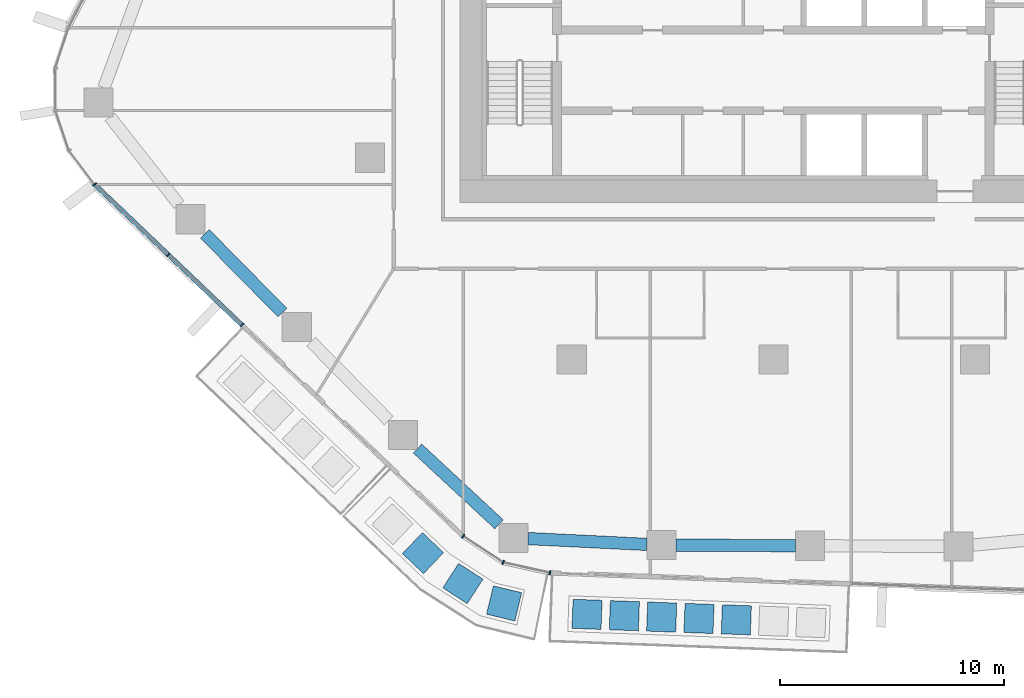
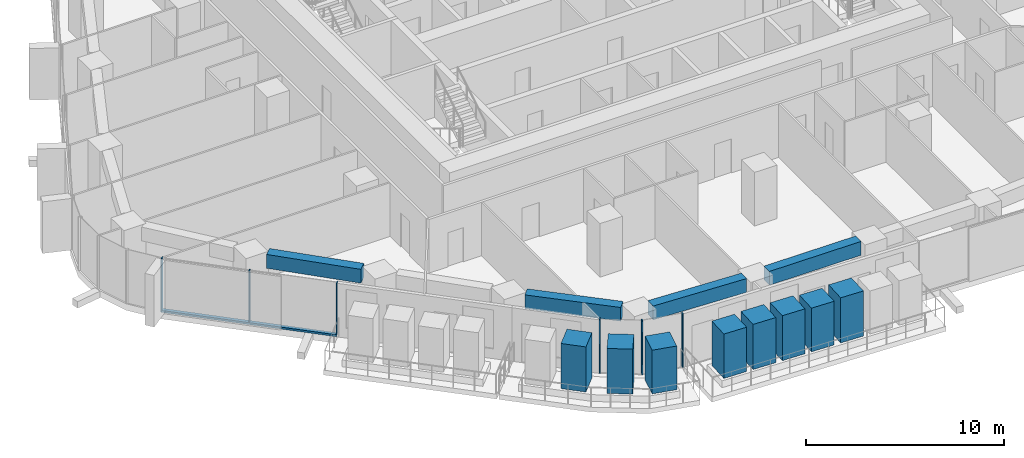
# One storey, part 2 of 24: 15 members, 4 beams, 3 elements without a shape of their own.
"""IFC4 building model written with IfcOpenShell, lengths in metres."""

from ifc_helpers import new_model, si_unit, direction, frame, origin, origin_2d, place, context, subcontext, project, spatial, rectangle, extrude, material, layer, layer_set, material_profile, profile_set, type_object, element, aggregate, save


model = new_model("IFC4")

# Units and contexts
model_context = context("Model", 3, precision=1e-05, world=origin(), true_north=direction((0.0, 1.0)))
body_context = subcontext(model_context, "Body", "Model", "MODEL_VIEW")
ifc_project = project(units=[si_unit("LENGTHUNIT", "METRE"), si_unit("AREAUNIT", "SQUARE_METRE"), si_unit("VOLUMEUNIT", "CUBIC_METRE"), si_unit("PLANEANGLEUNIT", "RADIAN"), si_unit("MASSUNIT", "GRAM", prefix="KILO")], contexts=[model_context])

# Site, building, storey
site_placement = place(None, origin())
site = spatial("IfcSite", under=ifc_project, at=site_placement, CompositionType="ELEMENT")
building_placement = place(site_placement, origin())
building = spatial("IfcBuilding", under=site, at=building_placement, Name="Dongbaek Canopy Tower", CompositionType="ELEMENT")
storey_placement = place(building_placement, frame((0.0, 0.0, 110.0)))
storey = spatial("IfcBuildingStorey", under=building, at=storey_placement, Name="L23", CompositionType="ELEMENT", Elevation=110.0)

# Curtain wall, member
ifc_material_1 = material(Name="Aluminium 6063-T6 pale anodised", Category="aluminium")
ifc_layer = layer(ifc_material_1, 0.199951171875)
ifc_layer_set = layer_set([ifc_layer], Name="CW-1 unitised tower curtain wall")
curtain_wall_type = type_object("IfcCurtainWallType", Name="CW-1 unitised tower curtain wall", PredefinedType="NOTDEFINED", material=ifc_layer_set)
curtain_wall_1_placement = place(storey_placement, origin())
curtain_wall_1 = element("IfcCurtainWall", 1, at=curtain_wall_1_placement, inside=storey, type_object=curtain_wall_type, Name="CW-1 curtain wall K3.1", PredefinedType="NOTDEFINED")
ifc_material_2 = material(Name="Aluminium 6063-T6 pale anodised", Category="aluminium")
ifc_material_profile_1 = material_profile(ifc_material_2, rectangle(XDim=0.199951171875, YDim=0.06005859375, at=origin_2d()), Name="CW-1 mullion 60 x 200")
ifc_profile_set_1 = profile_set([ifc_material_profile_1], Name="Aluminium 6063-T6 pale anodised")
member_type_1 = type_object("IfcMemberType", Name="CW-1 mullion 60 x 200", PredefinedType="MULLION", material=ifc_profile_set_1)
member_1_placement = place(storey_placement, frame((-30.297119140625, -10.1904296875, 0.0), z_axis=(0.0, 0.0, 1.0), x_axis=(-0.797481377097, -0.603343561483, 0.0)))
member_1 = element("IfcMember", 2, at=member_1_placement, type_object=member_type_1, Name="CW-1 mullion K3.1.5", PredefinedType="MULLION", context=body_context, shape_type="SweptSolid", body=[
    extrude(rectangle(XDim=0.199951171875, YDim=0.06005859375, at=origin_2d()), origin(), (0.0, 0.0, 1.0), 3.300048828125),
])
aggregate(curtain_wall_1, [member_1])

# Curtain wall, members
curtain_wall_2_placement = place(storey_placement, origin())
curtain_wall_2 = element("IfcCurtainWall", 3, at=curtain_wall_2_placement, inside=storey, type_object=curtain_wall_type, Name="CW-1 curtain wall F3.1", PredefinedType="NOTDEFINED")
member_2_placement = place(storey_placement, frame((-27.010498046875, -13.327880859375, 0.1201171875), z_axis=(0.0, 0.0, 1.0), x_axis=(-0.690482477156, -0.723349119541, 0.0)))
member_2 = element("IfcMember", 4, at=member_2_placement, type_object=member_type_1, Name="CW-1 mullion F3.1.2", PredefinedType="MULLION", context=body_context, shape_type="SweptSolid", body=[
    extrude(rectangle(XDim=0.199951171875, YDim=0.06005859375, at=origin_2d()), origin(), (0.0, 0.0, 1.0), 3.179931640625),
])
member_3_placement = place(storey_placement, frame((-23.718017578125, -16.470703125, 0.1201171875), z_axis=(0.0, 0.0, 1.0), x_axis=(-0.690482477156, -0.723349119541, 0.0)))
member_3 = element("IfcMember", 5, at=member_3_placement, type_object=member_type_1, Name="CW-1 mullion F3.1.3", PredefinedType="MULLION", context=body_context, shape_type="SweptSolid", body=[
    extrude(rectangle(XDim=0.199951171875, YDim=0.06005859375, at=origin_2d()), origin(), (0.0, 0.0, 1.0), 3.179931640625),
])

curtain_wall_3_placement = place(storey_placement, origin())
curtain_wall_3 = element("IfcCurtainWall", 6, at=curtain_wall_3_placement, inside=storey, type_object=curtain_wall_type, Name="CW-1 curtain wall K4.1", PredefinedType="NOTDEFINED")
member_4_placement = place(storey_placement, frame((-13.847412109375, -25.892822265625, 0.0), z_axis=(0.0, 0.0, 1.0), x_axis=(-0.548723978581, -0.836003585716, 0.0)))
member_4 = element("IfcMember", 7, at=member_4_placement, type_object=member_type_1, Name="CW-1 mullion K4.1.1", PredefinedType="MULLION", context=body_context, shape_type="SweptSolid", body=[
    extrude(rectangle(XDim=0.199951171875, YDim=0.06005859375, at=origin_2d()), origin(), (0.0, 0.0, 1.0), 3.300048828125),
])
member_5_placement = place(storey_placement, frame((-12.061279296875, -27.065185546875, 0.0), z_axis=(0.0, 0.0, 1.0), x_axis=(-0.388974740933, -0.921248419763, 0.0)))
member_5 = element("IfcMember", 8, at=member_5_placement, type_object=member_type_1, Name="CW-1 mullion K4.1.2", PredefinedType="MULLION", context=body_context, shape_type="SweptSolid", body=[
    extrude(rectangle(XDim=0.199951171875, YDim=0.06005859375, at=origin_2d()), origin(), (0.0, 0.0, 1.0), 3.300048828125),
])
member_6_placement = place(storey_placement, frame((-9.975341796875, -27.52783203125, 0.0), z_axis=(0.0, 0.0, 1.0), x_axis=(-0.216472382683, -0.976288741887, 0.0)))
member_6 = element("IfcMember", 9, at=member_6_placement, type_object=member_type_1, Name="CW-1 mullion K4.1.3", PredefinedType="MULLION", context=body_context, shape_type="SweptSolid", body=[
    extrude(rectangle(XDim=0.199951171875, YDim=0.06005859375, at=origin_2d()), origin(), (0.0, 0.0, 1.0), 3.300048828125),
])
aggregate(curtain_wall_3, [member_4, member_5, member_6])

# Member
ifc_material_3 = material(Name="Aluminium 6063-T6 pale anodised", Category="aluminium")
ifc_material_profile_2 = material_profile(ifc_material_3, rectangle(XDim=0.199951171875, YDim=0.1201171875, at=origin_2d()), Name="CW-1 transom 120 x 200")
ifc_profile_set_2 = profile_set([ifc_material_profile_2], Name="Aluminium 6063-T6 pale anodised")
member_type_2 = type_object("IfcMemberType", Name="CW-1 transom 120 x 200", PredefinedType="USERDEFINED", material=ifc_profile_set_2)
member_7_placement = place(storey_placement, frame((-30.297119140625, -10.1904296875, 0.06005859375), z_axis=(0.723343356225, -0.690488514752, 0.0), x_axis=(0.690488514752, 0.723343356225, 0.0)))
member_7 = element("IfcMember", 10, at=member_7_placement, type_object=member_type_2, Name="CW-1 transom F3.1.1", ObjectType="TRANSOM", PredefinedType="USERDEFINED", context=body_context, shape_type="SweptSolid", body=[
    extrude(rectangle(XDim=0.199951171875, YDim=0.1201171875, at=origin_2d()), origin(), (0.0, 0.0, 1.0), 9.095458984375),
])

aggregate(curtain_wall_2, [member_2, member_3, member_7])

# Beams
ifc_material_4 = material(Name="Concrete C80", Category="concrete")
ifc_material_profile_3 = material_profile(ifc_material_4, rectangle(XDim=0.550048828125, YDim=0.85009765625, at=origin_2d()), Name="RC EDGE BEAM 550x850 C80")
ifc_profile_set_3 = profile_set([ifc_material_profile_3], Name="Concrete C80")
beam_type = type_object("IfcBeamType", Name="RC EDGE BEAM 550x850 C80", PredefinedType="BEAM", material=ifc_profile_set_3)
beam_1_placement = place(storey_placement, frame((0.97900390625, -26.316162109375, 2.875), z_axis=(-0.999990328846, 0.004397978357, 0.0), x_axis=(-0.004397978357, -0.999990328846, 0.0)))
element("IfcBeam", 11, at=beam_1_placement, inside=storey, type_object=beam_type, Name="EDGEBEAM:L23:02", PredefinedType="BEAM", context=body_context, shape_type="SweptSolid", body=[
    extrude(rectangle(XDim=0.550048828125, YDim=0.85009765625, at=origin_2d()), origin(), (0.0, 0.0, 1.0), 5.3291015625),
])
beam_2_placement = place(storey_placement, frame((-5.64990234375, -26.258056640625, 2.875), z_axis=(-0.998796128786, 0.049053981722, 0.0), x_axis=(-0.049053981722, -0.998796128786, 0.0)))
element("IfcBeam", 12, at=beam_2_placement, inside=storey, type_object=beam_type, Name="EDGEBEAM:L23:03", PredefinedType="BEAM", context=body_context, shape_type="SweptSolid", body=[
    extrude(rectangle(XDim=0.550048828125, YDim=0.85009765625, at=origin_2d()), origin(), (0.0, 0.0, 1.0), 5.305419921875),
])
beam_3_placement = place(storey_placement, frame((-12.2490234375, -25.361328125, 2.875), z_axis=(-0.732272884801, 0.681011323097, 0.0), x_axis=(-0.681011323097, -0.732272884801, 0.0)))
element("IfcBeam", 13, at=beam_3_placement, inside=storey, type_object=beam_type, Name="EDGEBEAM:L23:04", PredefinedType="BEAM", context=body_context, shape_type="SweptSolid", body=[
    extrude(rectangle(XDim=0.550048828125, YDim=0.85009765625, at=origin_2d()), origin(), (0.0, 0.0, 1.0), 4.962646484375),
])
beam_4_placement = place(storey_placement, frame((-21.9169921875, -15.909912109375, 2.875), z_axis=(-0.70172014863, 0.712452688259, 0.0), x_axis=(-0.712452688259, -0.70172014863, 0.0)))
element("IfcBeam", 14, at=beam_4_placement, inside=storey, type_object=beam_type, Name="EDGEBEAM:L23:06", PredefinedType="BEAM", context=body_context, shape_type="SweptSolid", body=[
    extrude(rectangle(XDim=0.550048828125, YDim=0.85009765625, at=origin_2d()), origin(), (0.0, 0.0, 1.0), 4.936279296875),
])

# Members
ifc_material_5 = material(Name="Concrete C40/50 planter mass with planting", Category="concrete")
ifc_material_profile_4 = material_profile(ifc_material_5, rectangle(XDim=1.300048828125, YDim=1.300048828125, at=origin_2d()), Name="Terrace PLANTER shrub mass 1300 x 1300")
ifc_profile_set_4 = profile_set([ifc_material_profile_4], Name="Concrete C40/50 planter mass with planting")
member_type_3 = type_object("IfcMemberType", Name="Terrace PLANTER shrub mass 1300 x 1300", PredefinedType="USERDEFINED", material=ifc_profile_set_4)
member_8_placement = place(storey_placement, frame((-15.641357421875, -26.647705078125, 0.419921875), z_axis=(0.0, 0.0, 1.0), x_axis=(-0.689144208119, -0.724624220142, 0.0)))
element("IfcMember", 15, at=member_8_placement, inside=storey, type_object=member_type_3, Name="Planter shrubs L23 8.2", ObjectType="PLANTER", PredefinedType="USERDEFINED", context=body_context, shape_type="SweptSolid", body=[
    extrude(rectangle(XDim=1.300048828125, YDim=1.300048828125, at=origin_2d()), origin(), (0.0, 0.0, 1.0), 2.780029296875),
])
member_9_placement = place(storey_placement, frame((-13.859619140625, -28.005126953125, 0.419921875), z_axis=(0.0, 0.0, 1.0), x_axis=(-0.542085669157, -0.840323227868, 0.0)))
element("IfcMember", 16, at=member_9_placement, inside=storey, type_object=member_type_3, Name="Planter shrubs L23 8.3", ObjectType="PLANTER", PredefinedType="USERDEFINED", context=body_context, shape_type="SweptSolid", body=[
    extrude(rectangle(XDim=1.300048828125, YDim=1.300048828125, at=origin_2d()), origin(), (0.0, 0.0, 1.0), 2.77001953125),
])
member_10_placement = place(storey_placement, frame((-12.019775390625, -28.893798828125, 0.419921875), z_axis=(0.0, 0.0, 1.0), x_axis=(-0.234243471434, -0.972177965236, 0.0)))
element("IfcMember", 17, at=member_10_placement, inside=storey, type_object=member_type_3, Name="Planter shrubs L23 8.4", ObjectType="PLANTER", PredefinedType="USERDEFINED", context=body_context, shape_type="SweptSolid", body=[
    extrude(rectangle(XDim=1.300048828125, YDim=1.300048828125, at=origin_2d()), origin(), (0.0, 0.0, 1.0), 2.690185546875),
])
member_11_placement = place(storey_placement, frame((-8.318115234375, -29.380126953125, 0.419921875), z_axis=(0.0, 0.0, 1.0), x_axis=(-0.036872652499, -0.99931997253, 0.0)))
element("IfcMember", 18, at=member_11_placement, inside=storey, type_object=member_type_3, Name="Planter shrubs L23 4.1", ObjectType="PLANTER", PredefinedType="USERDEFINED", context=body_context, shape_type="SweptSolid", body=[
    extrude(rectangle(XDim=1.300048828125, YDim=1.300048828125, at=origin_2d()), origin(), (0.0, 0.0, 1.0), 2.72998046875),
])
member_12_placement = place(storey_placement, frame((-6.652099609375, -29.441650390625, 0.419921875), z_axis=(0.0, 0.0, 1.0), x_axis=(-0.036872652499, -0.99931997253, 0.0)))
element("IfcMember", 19, at=member_12_placement, inside=storey, type_object=member_type_3, Name="Planter shrubs L23 4.2", ObjectType="PLANTER", PredefinedType="USERDEFINED", context=body_context, shape_type="SweptSolid", body=[
    extrude(rectangle(XDim=1.300048828125, YDim=1.300048828125, at=origin_2d()), origin(), (0.0, 0.0, 1.0), 2.780029296875),
])
member_13_placement = place(storey_placement, frame((-4.986328125, -29.5029296875, 0.419921875), z_axis=(0.0, 0.0, 1.0), x_axis=(-0.036872652499, -0.99931997253, 0.0)))
element("IfcMember", 20, at=member_13_placement, inside=storey, type_object=member_type_3, Name="Planter shrubs L23 4.3", ObjectType="PLANTER", PredefinedType="USERDEFINED", context=body_context, shape_type="SweptSolid", body=[
    extrude(rectangle(XDim=1.300048828125, YDim=1.300048828125, at=origin_2d()), origin(), (0.0, 0.0, 1.0), 2.77001953125),
])
member_14_placement = place(storey_placement, frame((-3.3203125, -29.564453125, 0.419921875), z_axis=(0.0, 0.0, 1.0), x_axis=(-0.036872652499, -0.99931997253, 0.0)))
element("IfcMember", 21, at=member_14_placement, inside=storey, type_object=member_type_3, Name="Planter shrubs L23 4.4", ObjectType="PLANTER", PredefinedType="USERDEFINED", context=body_context, shape_type="SweptSolid", body=[
    extrude(rectangle(XDim=1.300048828125, YDim=1.300048828125, at=origin_2d()), origin(), (0.0, 0.0, 1.0), 2.690185546875),
])
member_15_placement = place(storey_placement, frame((-1.654296875, -29.6259765625, 0.419921875), z_axis=(0.0, 0.0, 1.0), x_axis=(-0.036872652499, -0.99931997253, 0.0)))
element("IfcMember", 22, at=member_15_placement, inside=storey, type_object=member_type_3, Name="Planter shrubs L23 4.5", ObjectType="PLANTER", PredefinedType="USERDEFINED", context=body_context, shape_type="SweptSolid", body=[
    extrude(rectangle(XDim=1.300048828125, YDim=1.300048828125, at=origin_2d()), origin(), (0.0, 0.0, 1.0), 2.780029296875),
])

save(model, "model.ifc")
